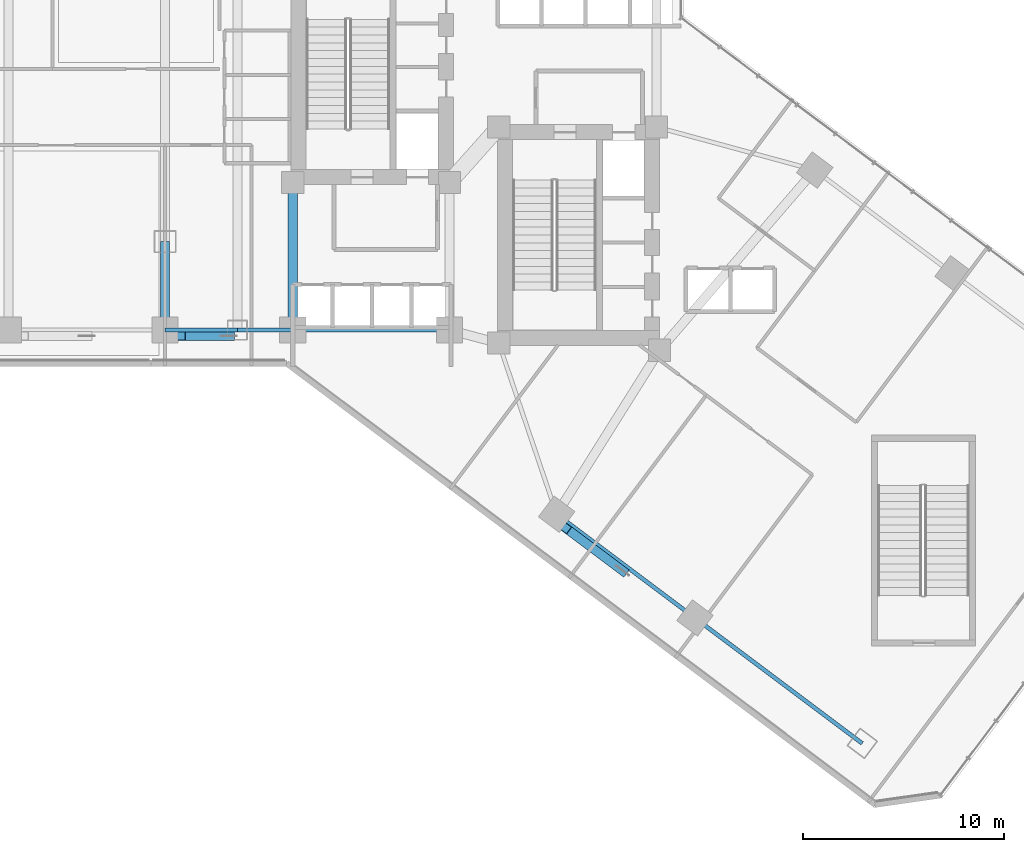
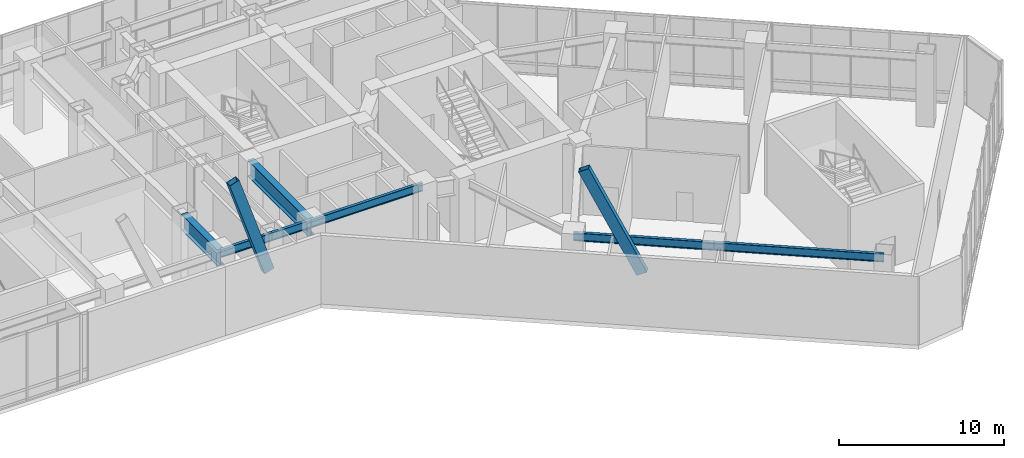
# One storey, part 4 of 35: 7 beams, 2 members.
"""IFC4 building model written with IfcOpenShell, lengths in metres."""

from ifc_helpers import new_model, si_unit, direction, frame, origin, origin_2d, place, context, subcontext, project, spatial, hollow_rectangle, i_section, extrude, material, material_profile, profile_set, type_object, element, save


model = new_model("IFC4")

# Units and contexts
model_context = context("Model", 3, precision=1e-05, world=origin(), true_north=direction((0.0, 1.0)))
body_context = subcontext(model_context, "Body", "Model", "MODEL_VIEW")
ifc_project = project(units=[si_unit("LENGTHUNIT", "METRE"), si_unit("AREAUNIT", "SQUARE_METRE"), si_unit("VOLUMEUNIT", "CUBIC_METRE"), si_unit("PLANEANGLEUNIT", "RADIAN"), si_unit("MASSUNIT", "GRAM", prefix="KILO")], contexts=[model_context])

# Site, building, storey
site_placement = place(None, origin())
site = spatial("IfcSite", under=ifc_project, at=site_placement, CompositionType="ELEMENT")
building_placement = place(site_placement, origin())
building = spatial("IfcBuilding", under=site, at=building_placement, Name="Hatsunagi Terrace Concourse", CompositionType="ELEMENT")
storey_placement = place(building_placement, frame((0.0, 0.0, 10.800048828125)))
storey = spatial("IfcBuildingStorey", under=building, at=storey_placement, Name="L03", CompositionType="ELEMENT", Elevation=10.800048828125)

# Beams
ifc_material_1 = material(Name="Steel SN490B", Category="steel")
ifc_material_profile_1 = material_profile(ifc_material_1, i_section(OverallWidth=0.199951171875, OverallDepth=0.60009765625, WebThickness=0.010986328125, FlangeThickness=0.01708984375, FilletRadius=0.01806640625, at=origin_2d()), Name="H-600x200x11x17")
ifc_profile_set_1 = profile_set([ifc_material_profile_1], Name="Steel SN490B")
beam_type_1 = type_object("IfcBeamType", Name="PerimeterSpandrel_H_600x200", PredefinedType="SPANDREL", material=ifc_profile_set_1)
beam_1_placement = place(storey_placement, frame((19.199951171875, 25.199951171875, 4.800048828125), z_axis=(1.0, 0.0, 0.0), x_axis=(0.0, 1.0, 0.0)))
element("IfcBeam", 1, at=beam_1_placement, inside=storey, type_object=beam_type_1, Name="Beam SP-01 BM-L03-WS-19", PredefinedType="SPANDREL", context=body_context, shape_type="SweptSolid", body=[
    extrude(i_section(OverallWidth=0.199951171875, OverallDepth=0.60009765625, WebThickness=0.010986328125, FlangeThickness=0.01708984375, FilletRadius=0.01806640625, at=origin_2d()), origin(), (0.0, 0.0, 1.0), 3.60009765625),
])
beam_2_placement = place(storey_placement, frame((22.800048828125, 25.199951171875, 4.800048828125), z_axis=(1.0, 0.0, 0.0), x_axis=(0.0, 1.0, 0.0)))
element("IfcBeam", 2, at=beam_2_placement, inside=storey, type_object=beam_type_1, Name="Beam SP-01 BM-L03-WS-22", PredefinedType="SPANDREL", context=body_context, shape_type="SweptSolid", body=[
    extrude(i_section(OverallWidth=0.199951171875, OverallDepth=0.60009765625, WebThickness=0.010986328125, FlangeThickness=0.01708984375, FilletRadius=0.01806640625, at=origin_2d()), origin(), (0.0, 0.0, 1.0), 2.75),
])
beam_3_placement = place(storey_placement, frame((25.550048828125, 25.199951171875, 4.800048828125), z_axis=(1.0, 0.0, 0.0), x_axis=(0.0, 1.0, 0.0)))
element("IfcBeam", 3, at=beam_3_placement, inside=storey, type_object=beam_type_1, Name="Beam SP-01 BM-L03-WS-25", PredefinedType="SPANDREL", context=body_context, shape_type="SweptSolid", body=[
    extrude(i_section(OverallWidth=0.199951171875, OverallDepth=0.60009765625, WebThickness=0.010986328125, FlangeThickness=0.01708984375, FilletRadius=0.01806640625, at=origin_2d()), origin(), (0.0, 0.0, 1.0), 7.800048828125),
])
beam_4_placement = place(storey_placement, frame((38.679931640625, 16.0400390625, 4.800048828125), z_axis=(0.799996593451, -0.600004542038, 0.0), x_axis=(0.600004542038, 0.799996593451, 0.0)))
element("IfcBeam", 4, at=beam_4_placement, inside=storey, type_object=beam_type_1, Name="Beam SP-01 BM-L03-SE-SW2", PredefinedType="SPANDREL", context=body_context, shape_type="SweptSolid", body=[
    extrude(i_section(OverallWidth=0.199951171875, OverallDepth=0.60009765625, WebThickness=0.010986328125, FlangeThickness=0.01708984375, FilletRadius=0.01806640625, at=origin_2d()), origin(), (0.0, 0.0, 1.0), 8.60009765625),
])
beam_5_placement = place(storey_placement, frame((45.56005859375, 10.8798828125, 4.800048828125), z_axis=(0.799994365871, -0.600007512099, 0.0), x_axis=(0.600007512099, 0.799994365871, 0.0)))
element("IfcBeam", 5, at=beam_5_placement, inside=storey, type_object=beam_type_1, Name="Beam SP-01 BM-L03-SE-SW3", PredefinedType="SPANDREL", context=body_context, shape_type="SweptSolid", body=[
    extrude(i_section(OverallWidth=0.199951171875, OverallDepth=0.60009765625, WebThickness=0.010986328125, FlangeThickness=0.01708984375, FilletRadius=0.01806640625, at=origin_2d()), origin(), (0.0, 0.0, 1.0), 10.39990234375),
])

# Members
ifc_material_2 = material(Name="Steel SN490B", Category="steel")
ifc_material_profile_2 = material_profile(ifc_material_2, hollow_rectangle(XDim=0.449951171875, YDim=0.699951171875, WallThickness=0.028076171875, at=origin_2d()), Name="RHS-700x450x28")
ifc_profile_set_2 = profile_set([ifc_material_profile_2], Name="Steel SN490B")
member_type = type_object("IfcMemberType", Name="PerimeterXBrace_Lower_RHS_700x450x28", PredefinedType="BRACE", material=ifc_profile_set_2)
member_1_placement = place(storey_placement, frame((19.875, 24.89990234375, 10.06005859375), z_axis=(0.315879209961, 0.0, -0.948799412265), x_axis=(0.0, 1.0, 0.0)))
element("IfcMember", 6, at=member_1_placement, inside=storey, type_object=member_type, Name="Perimeter X-Brace Split Upper XB-01 XB-L02-W1B1", PredefinedType="BRACE", context=body_context, shape_type="SweptSolid", body=[
    extrude(hollow_rectangle(XDim=0.449951171875, YDim=0.699951171875, WallThickness=0.028076171875, at=origin_2d()), origin(), (0.0, 0.0, 1.0), 7.775390625),
])
member_2_placement = place(storey_placement, frame((39.052001953125, 15.410888671875, 10.06005859375), z_axis=(0.347735019102, -0.260756598927, -0.900603327002), x_axis=(0.599934229232, 0.800049323852, 0.0)))
element("IfcMember", 7, at=member_2_placement, inside=storey, type_object=member_type, Name="Perimeter X-Brace Split Upper XB-01 XB-L02-SEB1", PredefinedType="BRACE", context=body_context, shape_type="SweptSolid", body=[
    extrude(hollow_rectangle(XDim=0.449951171875, YDim=0.699951171875, WallThickness=0.028076171875, at=origin_2d()), origin(), (0.0, 0.0, 1.0), 8.198974609375),
])

# Beams
ifc_material_3 = material(Name="Steel SN490B", Category="steel")
ifc_material_profile_3 = material_profile(ifc_material_3, i_section(OverallWidth=0.449951171875, OverallDepth=1.199951171875, WebThickness=0.02490234375, FlangeThickness=0.035888671875, at=origin_2d()), Name="BH-1200x450x25x36")
ifc_profile_set_3 = profile_set([ifc_material_profile_3], Name="Steel SN490B")
beam_type_2 = type_object("IfcBeamType", Name="PodiumHallGirder_BH_1200x450x25x36", PredefinedType="BEAM", material=ifc_profile_set_3)
beam_6_placement = place(storey_placement, frame((25.550048828125, 25.199951171875, 4.5), z_axis=(0.0, 1.0, 0.0), x_axis=(-1.0, 0.0, 0.0)))
element("IfcBeam", 8, at=beam_6_placement, inside=storey, type_object=beam_type_2, Name="Beam G-01 BM-L03-K1CA", PredefinedType="BEAM", context=body_context, shape_type="SweptSolid", body=[
    extrude(i_section(OverallWidth=0.449951171875, OverallDepth=1.199951171875, WebThickness=0.02490234375, FlangeThickness=0.035888671875, at=origin_2d()), origin(), (0.0, 0.0, 1.0), 7.35009765625),
])
beam_7_placement = place(storey_placement, frame((19.199951171875, 25.199951171875, 4.5), z_axis=(0.0, 1.0, 0.0), x_axis=(-1.0, 0.0, 0.0)))
element("IfcBeam", 9, at=beam_7_placement, inside=storey, type_object=beam_type_2, Name="Beam G-01 BM-L03-NS-19-25", PredefinedType="BEAM", context=body_context, shape_type="SweptSolid", body=[
    extrude(i_section(OverallWidth=0.449951171875, OverallDepth=1.199951171875, WebThickness=0.02490234375, FlangeThickness=0.035888671875, at=origin_2d()), origin(), (0.0, 0.0, 1.0), 4.400146484375),
])

save(model, "model.ifc")
